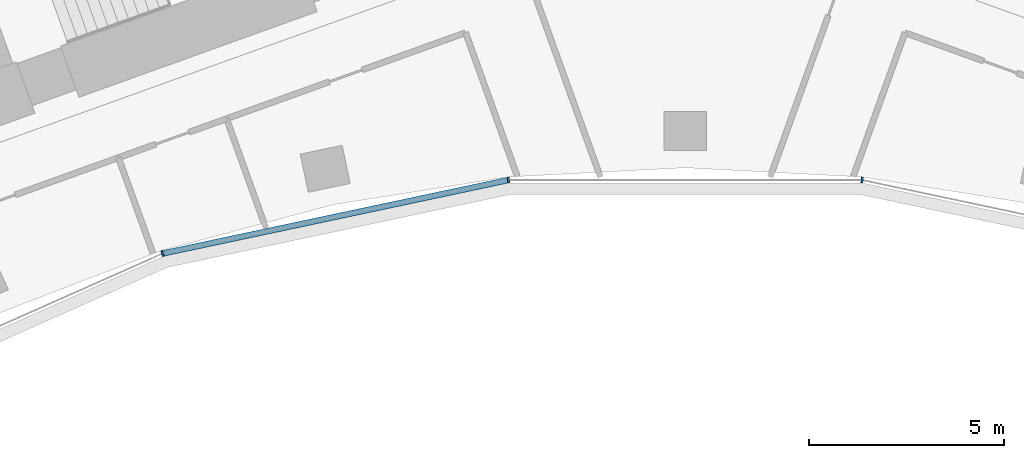
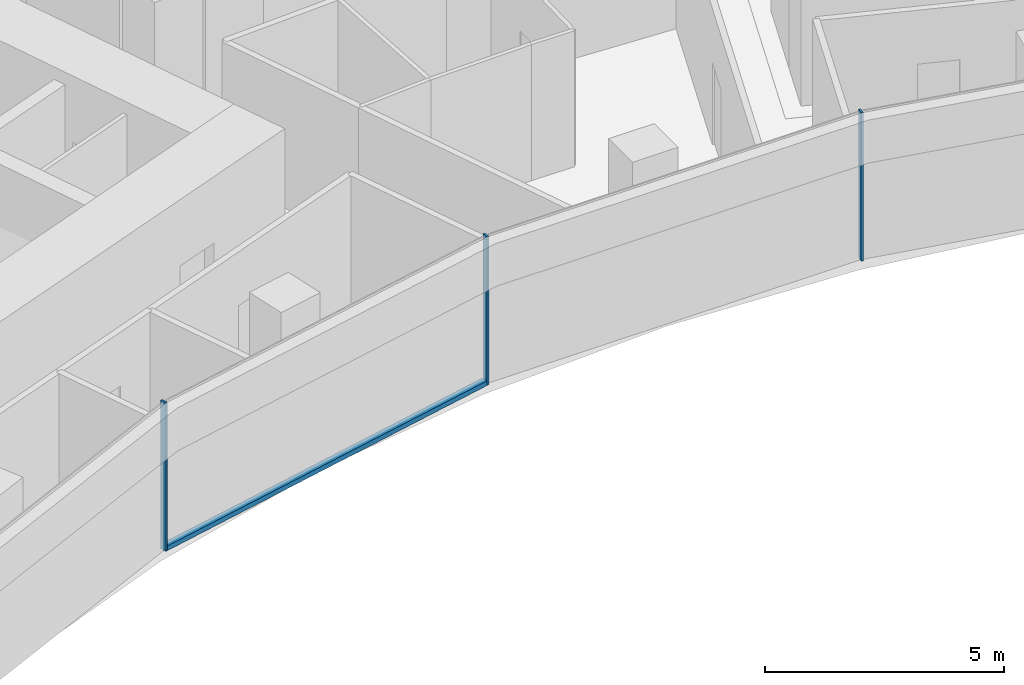
# One storey, part 5 of 21: 4 members, 1 element without a shape of its own.
"""IFC4 building model written with IfcOpenShell, lengths in metres."""

from ifc_helpers import new_model, si_unit, direction, frame, origin, origin_2d, place, context, subcontext, project, spatial, rectangle, extrude, material, layer, layer_set, material_profile, profile_set, type_object, element, aggregate, save


model = new_model("IFC4")

# Units and contexts
model_context = context("Model", 3, precision=1e-05, world=origin(), true_north=direction((0.0, 1.0)))
body_context = subcontext(model_context, "Body", "Model", "MODEL_VIEW")
ifc_project = project(units=[si_unit("LENGTHUNIT", "METRE"), si_unit("AREAUNIT", "SQUARE_METRE"), si_unit("VOLUMEUNIT", "CUBIC_METRE"), si_unit("PLANEANGLEUNIT", "RADIAN"), si_unit("MASSUNIT", "GRAM", prefix="KILO")], contexts=[model_context])

# Site, building, storey
site_placement = place(None, origin())
site = spatial("IfcSite", under=ifc_project, at=site_placement, CompositionType="ELEMENT")
building_placement = place(site_placement, origin())
building = spatial("IfcBuilding", under=site, at=building_placement, Name="Stone Belt Terrace Tower", CompositionType="ELEMENT")
storey_placement = place(building_placement, frame((0.0, 0.0, 159.199951171875)))
storey = spatial("IfcBuildingStorey", under=building, at=storey_placement, Name="L38", CompositionType="ELEMENT", Elevation=159.199951171875)

# Curtain wall, members
ifc_material = material(Name="Aluminium 6063-T6 anodised frame", Category="aluminium")
ifc_layer = layer(ifc_material, 0.14990234375)
ifc_layer_set = layer_set([ifc_layer], Name="CW-B unitised concave-face curtain wall")
curtain_wall_type = type_object("IfcCurtainWallType", Name="CW-B unitised concave-face curtain wall", PredefinedType="NOTDEFINED", material=ifc_layer_set)
curtain_wall_placement = place(storey_placement, origin())
curtain_wall = element("IfcCurtainWall", 1, at=curtain_wall_placement, inside=storey, type_object=curtain_wall_type, Name="CW-B concave face L38", PredefinedType="NOTDEFINED")
ifc_material_profile_1 = material_profile(ifc_material, rectangle(XDim=0.14990234375, YDim=0.050048828125, at=origin_2d()), Name="Aluminium 6063-T6 50x150")
ifc_profile_set_1 = profile_set([ifc_material_profile_1], Name="Aluminium 6063-T6 anodised frame")
member_type_1 = type_object("IfcMemberType", Name="CW-B mullion 50 x 150", PredefinedType="MULLION", material=ifc_profile_set_1)
member_1_placement = place(storey_placement, frame((-13.4189453125, 41.29931640625, 0.0), z_axis=(0.0, 0.0, 1.0), x_axis=(-0.309016994375, 0.951056516295, 0.0)))
member_1 = element("IfcMember", 2, at=member_1_placement, type_object=member_type_1, Name="CW-B mullion 4", PredefinedType="MULLION", context=body_context, shape_type="SweptSolid", body=[
    extrude(rectangle(XDim=0.14990234375, YDim=0.050048828125, at=origin_2d()), origin(), (0.0, 0.0, 1.0), 3.800048828125),
])
member_2_placement = place(storey_placement, frame((-4.5390625, 43.186767578125, 0.0), z_axis=(0.0, 0.0, 1.0), x_axis=(-0.104528463268, 0.994521895368, 0.0)))
member_2 = element("IfcMember", 3, at=member_2_placement, type_object=member_type_1, Name="CW-B mullion 5", PredefinedType="MULLION", context=body_context, shape_type="SweptSolid", body=[
    extrude(rectangle(XDim=0.14990234375, YDim=0.050048828125, at=origin_2d()), origin(), (0.0, 0.0, 1.0), 3.800048828125),
])
member_3_placement = place(storey_placement, frame((4.5390625, 43.186767578125, 0.0), z_axis=(0.0, 0.0, 1.0), x_axis=(0.104528463268, 0.994521895368, 0.0)))
member_3 = element("IfcMember", 4, at=member_3_placement, type_object=member_type_1, Name="CW-B mullion 6", PredefinedType="MULLION", context=body_context, shape_type="SweptSolid", body=[
    extrude(rectangle(XDim=0.14990234375, YDim=0.050048828125, at=origin_2d()), origin(), (0.0, 0.0, 1.0), 3.800048828125),
])
ifc_material_profile_2 = material_profile(ifc_material, rectangle(XDim=0.14990234375, YDim=0.1201171875, at=origin_2d()), Name="Aluminium 6063-T6 150x120")
ifc_profile_set_2 = profile_set([ifc_material_profile_2], Name="Aluminium 6063-T6 anodised frame")
member_type_2 = type_object("IfcMemberType", Name="CW-B transom 120 x 150", PredefinedType="USERDEFINED", material=ifc_profile_set_2)
member_4_placement = place(storey_placement, frame((-13.386962890625, 41.30615234375, 0.06005859375), z_axis=(0.9781499003, 0.207900871914, 0.0), x_axis=(-0.207900871914, 0.9781499003, 0.0)))
member_4 = element("IfcMember", 5, at=member_4_placement, type_object=member_type_2, Name="CW-B transom 4.1", ObjectType="TRANSOM", PredefinedType="USERDEFINED", context=body_context, shape_type="SweptSolid", body=[
    extrude(rectangle(XDim=0.14990234375, YDim=0.1201171875, at=origin_2d()), origin(), (0.0, 0.0, 1.0), 9.012939453125),
])
aggregate(curtain_wall, [member_1, member_2, member_3, member_4])

save(model, "model.ifc")
